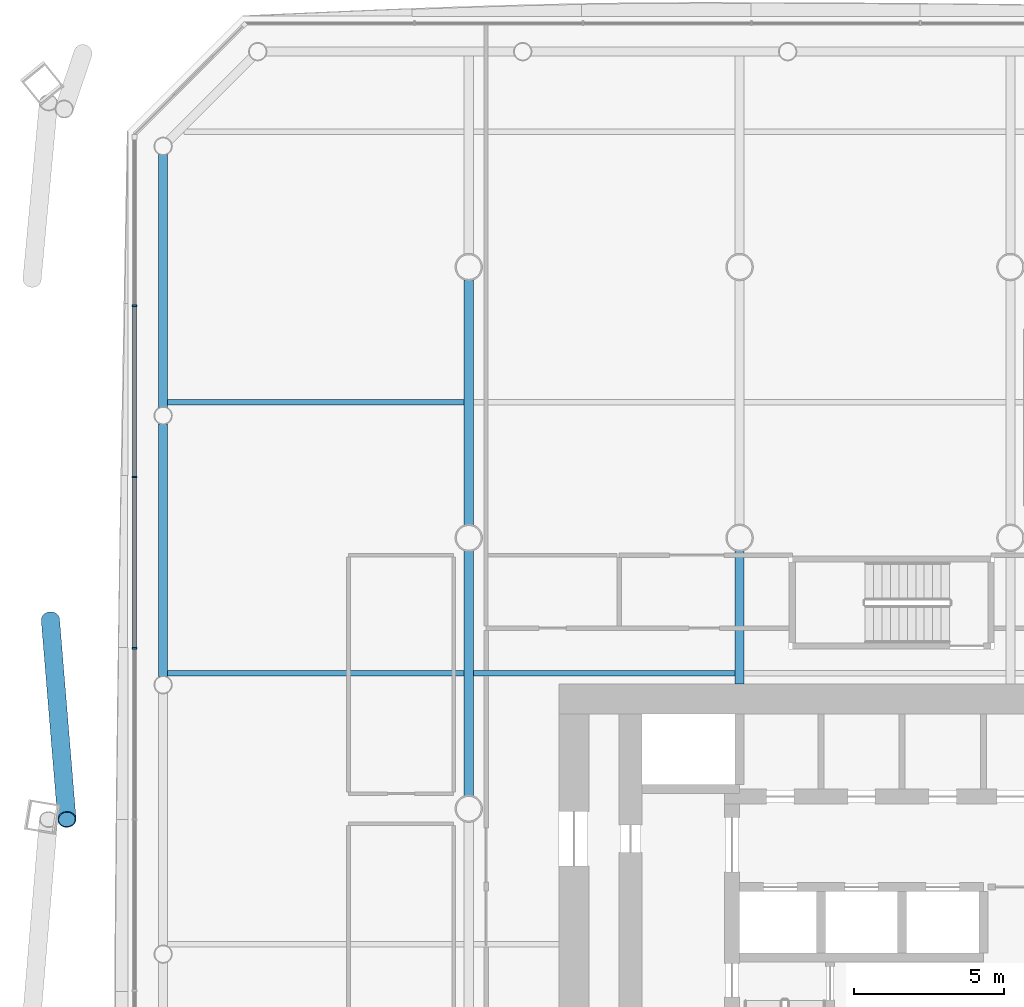
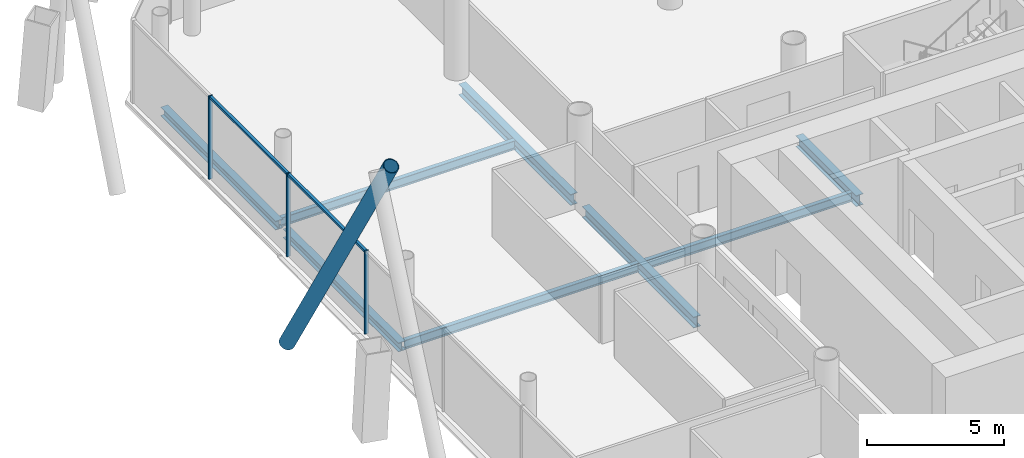
# One storey, part 7 of 21: 8 beams, 6 members, 1 element without a shape of its own.
"""IFC4 building model written with IfcOpenShell, lengths in metres."""

from ifc_helpers import new_model, si_unit, direction, frame, origin, origin_2d, place, context, subcontext, project, spatial, rectangle, hollow_circle, i_section, extrude, material, material_profile, profile_set, type_object, element, aggregate, save


model = new_model("IFC4")

# Units and contexts
model_context = context("Model", 3, precision=1e-05, world=origin(), true_north=direction((0.0, 1.0)))
body_context = subcontext(model_context, "Body", "Model", "MODEL_VIEW")
ifc_project = project(units=[si_unit("LENGTHUNIT", "METRE"), si_unit("AREAUNIT", "SQUARE_METRE"), si_unit("VOLUMEUNIT", "CUBIC_METRE"), si_unit("PLANEANGLEUNIT", "RADIAN"), si_unit("MASSUNIT", "GRAM", prefix="KILO")], contexts=[model_context])

# Site, building, storey
site_placement = place(None, origin())
site = spatial("IfcSite", under=ifc_project, at=site_placement, CompositionType="ELEMENT")
building_placement = place(site_placement, origin())
building = spatial("IfcBuilding", under=site, at=building_placement, Name="Tskaro Facet Tower", CompositionType="ELEMENT")
storey_placement = place(building_placement, frame((0.0, 0.0, 45.89990234375)))
storey = spatial("IfcBuildingStorey", under=building, at=storey_placement, Name="L10", CompositionType="ELEMENT", Elevation=45.89990234375)

# Member
ifc_material_1 = material(Name="Steel S355J2H", Category="steel")
ifc_material_profile_1 = material_profile(ifc_material_1, hollow_circle(Radius=0.304931640625, WallThickness=0.030029296875, at=origin_2d()), Name="CHS 610x30")
ifc_profile_set_1 = profile_set([ifc_material_profile_1], Name="Steel S355J2H")
member_type_1 = type_object("IfcMemberType", Name="CHS 610x30 brace", PredefinedType="BRACE", material=ifc_profile_set_1)
member_1_placement = place(storey_placement, frame((-31.90185546875, 6.27685546875, 0.0), z_axis=(0.040697341527, -0.492865843733, 0.869153028226), x_axis=(0.996608196398, 0.082292787486, 0.0)))
element("IfcMember", 1, at=member_1_placement, inside=storey, type_object=member_type_1, Name="CHS 610x30 XB10A/1", PredefinedType="BRACE", context=body_context, shape_type="SweptSolid", body=[
    extrude(hollow_circle(Radius=0.304931640625, WallThickness=0.030029296875, at=origin_2d()), origin(), (0.0, 0.0, 1.0), 13.461669921875),
])

# Curtain wall, members
ifc_material_2 = material(Name="Bronze anodised aluminium 6063-T6", Category="aluminium")
curtain_wall_type = type_object("IfcCurtainWallType", Name="Bronze office curtain wall (FW1)", PredefinedType="NOTDEFINED", material=ifc_material_2)
curtain_wall_placement = place(storey_placement, origin())
curtain_wall = element("IfcCurtainWall", 2, at=curtain_wall_placement, inside=storey, type_object=curtain_wall_type, Name="FW1 west facet L10", PredefinedType="NOTDEFINED")
ifc_material_profile_2 = material_profile(ifc_material_2, rectangle(XDim=0.06005859375, YDim=0.159912109375, at=origin_2d()), Name="Mullion 60x160")
ifc_profile_set_2 = profile_set([ifc_material_profile_2], Name="Bronze anodised aluminium 6063-T6")
member_type_2 = type_object("IfcMemberType", Name="FW1 bronze mullion 60x160", PredefinedType="MULLION", material=ifc_profile_set_2)
member_2_placement = place(storey_placement, frame((-29.10693359375, 16.714111328125, 0.0), z_axis=(0.0, 0.0, 1.0), x_axis=(0.0, -1.0, 0.0)))
member_2 = element("IfcMember", 3, at=member_2_placement, type_object=member_type_2, Name="FW1 west mullion 1", PredefinedType="MULLION", context=body_context, shape_type="SweptSolid", body=[
    extrude(rectangle(XDim=0.06005859375, YDim=0.159912109375, at=origin_2d()), origin(), (0.0, 0.0, 1.0), 3.7001953125),
])
member_3_placement = place(storey_placement, frame((-29.10693359375, 11.023193359375, 0.0), z_axis=(0.0, 0.0, 1.0), x_axis=(0.0, -1.0, 0.0)))
member_3 = element("IfcMember", 4, at=member_3_placement, type_object=member_type_2, Name="FW1 west mullion 2", PredefinedType="MULLION", context=body_context, shape_type="SweptSolid", body=[
    extrude(rectangle(XDim=0.06005859375, YDim=0.159912109375, at=origin_2d()), origin(), (0.0, 0.0, 1.0), 3.7001953125),
])
member_4_placement = place(storey_placement, frame((-29.10693359375, 5.332275390625, 0.0), z_axis=(0.0, 0.0, 1.0), x_axis=(0.0, -1.0, 0.0)))
member_4 = element("IfcMember", 5, at=member_4_placement, type_object=member_type_2, Name="FW1 west mullion 3", PredefinedType="MULLION", context=body_context, shape_type="SweptSolid", body=[
    extrude(rectangle(XDim=0.06005859375, YDim=0.159912109375, at=origin_2d()), origin(), (0.0, 0.0, 1.0), 3.7001953125),
])
ifc_material_profile_3 = material_profile(ifc_material_2, rectangle(XDim=0.1201171875, YDim=0.10009765625, at=origin_2d()), Name="Transom 120x100")
ifc_profile_set_3 = profile_set([ifc_material_profile_3], Name="Bronze anodised aluminium 6063-T6")
member_type_3 = type_object("IfcMemberType", Name="FW1 bronze transom 120x100", PredefinedType="USERDEFINED", material=ifc_profile_set_3)
member_5_placement = place(storey_placement, frame((-29.10693359375, 16.68408203125, 3.650146484375), z_axis=(0.0, -1.0, 0.0), x_axis=(1.0, 0.0, 0.0)))
member_5 = element("IfcMember", 6, at=member_5_placement, type_object=member_type_3, Name="FW1 west transom 2.1", ObjectType="TRANSOM", PredefinedType="USERDEFINED", context=body_context, shape_type="SweptSolid", body=[
    extrude(rectangle(XDim=0.1201171875, YDim=0.10009765625, at=origin_2d()), origin(), (0.0, 0.0, 1.0), 5.630859375),
])
member_6_placement = place(storey_placement, frame((-29.10693359375, 10.9931640625, 3.650146484375), z_axis=(0.0, -1.0, 0.0), x_axis=(1.0, 0.0, 0.0)))
member_6 = element("IfcMember", 7, at=member_6_placement, type_object=member_type_3, Name="FW1 west transom 3.1", ObjectType="TRANSOM", PredefinedType="USERDEFINED", context=body_context, shape_type="SweptSolid", body=[
    extrude(rectangle(XDim=0.1201171875, YDim=0.10009765625, at=origin_2d()), origin(), (0.0, 0.0, 1.0), 5.630859375),
])
aggregate(curtain_wall, [member_2, member_3, member_4, member_5, member_6])

# Beams
ifc_material_3 = material(Name="Steel S355J2", Category="steel")
ifc_material_profile_4 = material_profile(ifc_material_3, i_section(OverallWidth=0.300048828125, OverallDepth=0.39990234375, WebThickness=0.013427734375, FlangeThickness=0.02392578125, FilletRadius=0.027099609375, at=origin_2d()), Name="HE 400 B")
ifc_profile_set_4 = profile_set([ifc_material_profile_4], Name="Steel S355J2")
beam_type_1 = type_object("IfcBeamType", Name="HE 400 B ring beam", PredefinedType="BEAM", material=ifc_profile_set_4)
for number, where, z_axis, x_axis, name in (
    (8, (-28.156982421875, 21.737060546875, -0.33984375), (0.0, -1.0, 0.0), (1.0, 0.0, 0.0), "HE 400 B EB20-1"),
    (9, (-28.156982421875, 12.7890625, -0.33984375), (0.0, -1.0, 0.0), (1.0, 0.0, 0.0), "HE 400 B EB21-1"),
):
    element("IfcBeam", number, at=place(storey_placement, frame(where, z_axis=z_axis, x_axis=x_axis)), inside=storey, type_object=beam_type_1, Name=name, PredefinedType="BEAM", context=body_context, shape_type="SweptSolid", body=[
        extrude(i_section(OverallWidth=0.300048828125, OverallDepth=0.39990234375, WebThickness=0.013427734375, FlangeThickness=0.02392578125, FilletRadius=0.027099609375, at=origin_2d()), origin(), (0.0, 0.0, 1.0), 8.39794921875),
    ])
ifc_material_profile_5 = material_profile(ifc_material_3, i_section(OverallWidth=0.300048828125, OverallDepth=0.489990234375, WebThickness=0.011962890625, FlangeThickness=0.02294921875, FilletRadius=0.027099609375, at=origin_2d()), Name="HE 500 A")
ifc_profile_set_5 = profile_set([ifc_material_profile_5], Name="Steel S355J2")
beam_type_2 = type_object("IfcBeamType", Name="HE 500 A girder", PredefinedType="BEAM", material=ifc_profile_set_5)
for number, where, z_axis, x_axis, name in (
    (10, (-18.0, 0.42724609375, -0.385009765625), (0.0, 1.0, 0.0), (-1.0, 0.0, 0.0), "HE 500 A GB2-4-1"),
    (11, (-18.0, 9.42724609375, -0.385009765625), (0.0, 1.0, 0.0), (-1.0, 0.0, 0.0), "HE 500 A GB2-5-1"),
):
    element("IfcBeam", number, at=place(storey_placement, frame(where, z_axis=z_axis, x_axis=x_axis)), inside=storey, type_object=beam_type_2, Name=name, PredefinedType="BEAM", context=body_context, shape_type="SweptSolid", body=[
        extrude(i_section(OverallWidth=0.300048828125, OverallDepth=0.489990234375, WebThickness=0.011962890625, FlangeThickness=0.02294921875, FilletRadius=0.027099609375, at=origin_2d()), origin(), (0.0, 0.0, 1.0), 8.1455078125),
    ])
beam_1_placement = place(storey_placement, frame((-9.0, 4.14990234375, -0.385009765625), z_axis=(0.0, 1.0, 0.0), x_axis=(-1.0, 0.0, 0.0)))
element("IfcBeam", 12, at=beam_1_placement, inside=storey, type_object=beam_type_2, Name="HE 500 A GB3-3-1", PredefinedType="BEAM", context=body_context, shape_type="SweptSolid", body=[
    extrude(i_section(OverallWidth=0.300048828125, OverallDepth=0.489990234375, WebThickness=0.011962890625, FlangeThickness=0.02294921875, FilletRadius=0.027099609375, at=origin_2d()), origin(), (0.0, 0.0, 1.0), 4.4228515625),
])
ifc_material_profile_6 = material_profile(ifc_material_3, i_section(OverallWidth=0.179931640625, OverallDepth=0.39990234375, WebThickness=0.008544921875, FlangeThickness=0.013427734375, FilletRadius=0.02099609375, at=origin_2d()), Name="IPE 400")
ifc_profile_set_6 = profile_set([ifc_material_profile_6], Name="Steel S355J2")
beam_type_3 = type_object("IfcBeamType", Name="IPE 400 secondary beam", PredefinedType="BEAM", material=ifc_profile_set_6)
beam_2_placement = place(storey_placement, frame((-28.007080078125, 4.5, -0.33984375), z_axis=(1.0, 0.0, 0.0), x_axis=(0.0, 1.0, 0.0)))
element("IfcBeam", 13, at=beam_2_placement, inside=storey, type_object=beam_type_3, Name="IPE 400 SB4a-1-1", PredefinedType="BEAM", context=body_context, shape_type="SweptSolid", body=[
    extrude(i_section(OverallWidth=0.179931640625, OverallDepth=0.39990234375, WebThickness=0.008544921875, FlangeThickness=0.013427734375, FilletRadius=0.02099609375, at=origin_2d()), origin(), (0.0, 0.0, 1.0), 9.857177734375),
])
beam_3_placement = place(storey_placement, frame((-17.85009765625, 4.5, -0.33984375), z_axis=(1.0, 0.0, 0.0), x_axis=(0.0, 1.0, 0.0)))
element("IfcBeam", 14, at=beam_3_placement, inside=storey, type_object=beam_type_3, Name="IPE 400 SB4a-2-1", PredefinedType="BEAM", context=body_context, shape_type="SweptSolid", body=[
    extrude(i_section(OverallWidth=0.179931640625, OverallDepth=0.39990234375, WebThickness=0.008544921875, FlangeThickness=0.013427734375, FilletRadius=0.02099609375, at=origin_2d()), origin(), (0.0, 0.0, 1.0), 8.7001953125),
])
beam_4_placement = place(storey_placement, frame((-28.007080078125, 13.5, -0.33984375), z_axis=(1.0, 0.0, 0.0), x_axis=(0.0, 1.0, 0.0)))
element("IfcBeam", 15, at=beam_4_placement, inside=storey, type_object=beam_type_3, Name="IPE 400 SB5a-1-1", PredefinedType="BEAM", context=body_context, shape_type="SweptSolid", body=[
    extrude(i_section(OverallWidth=0.179931640625, OverallDepth=0.39990234375, WebThickness=0.008544921875, FlangeThickness=0.013427734375, FilletRadius=0.02099609375, at=origin_2d()), origin(), (0.0, 0.0, 1.0), 9.857177734375),
])

save(model, "model.ifc")
